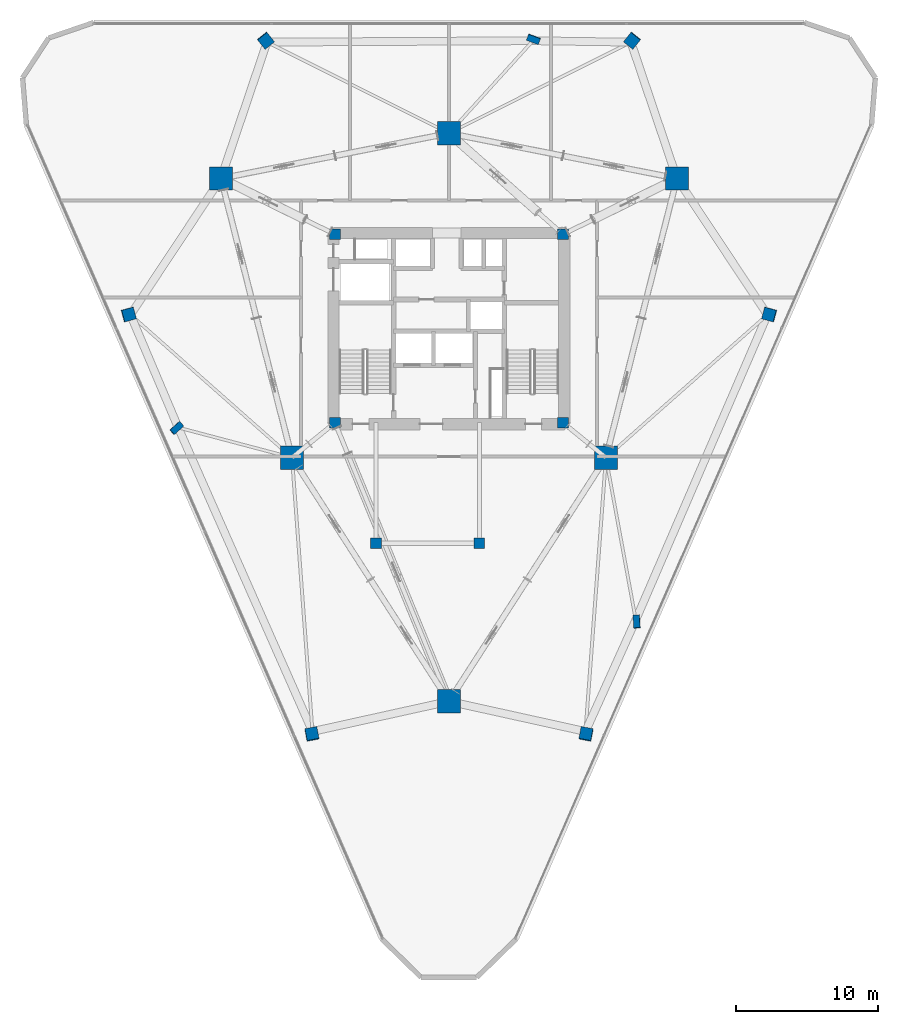
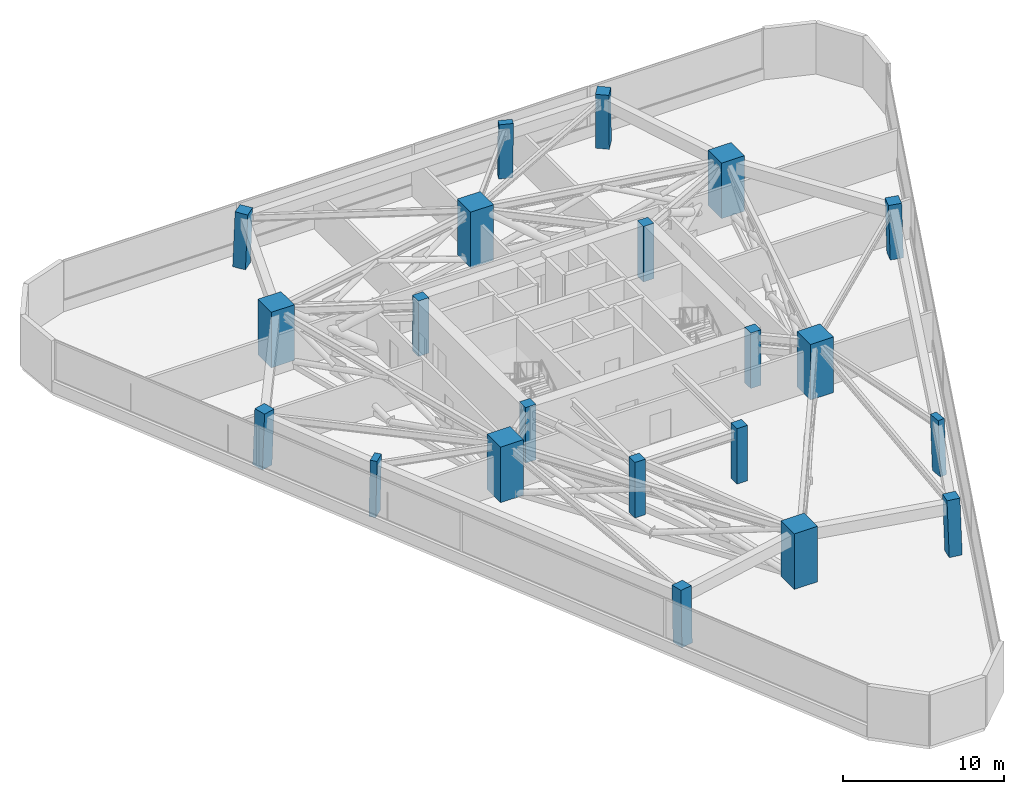
# One storey, part 1 of 15: 21 columns.
"""IFC4 building model written with IfcOpenShell, lengths in metres."""

from ifc_helpers import new_model, si_unit, direction, frame, origin, origin_2d, place, context, subcontext, project, spatial, rectangle, extrude, material, material_profile, profile_set, type_object, element, save


model = new_model("IFC4")

# Units and contexts
model_context = context("Model", 3, precision=1e-05, world=origin(), true_north=direction((0.0, 1.0)))
body_context = subcontext(model_context, "Body", "Model", "MODEL_VIEW")
ifc_project = project(units=[si_unit("LENGTHUNIT", "METRE"), si_unit("AREAUNIT", "SQUARE_METRE"), si_unit("VOLUMEUNIT", "CUBIC_METRE"), si_unit("PLANEANGLEUNIT", "RADIAN"), si_unit("MASSUNIT", "GRAM", prefix="KILO")], contexts=[model_context])

# Site, building, storey
site_placement = place(None, origin())
site = spatial("IfcSite", under=ifc_project, at=site_placement, CompositionType="ELEMENT")
building_placement = place(site_placement, origin())
building = spatial("IfcBuilding", under=site, at=building_placement, Name="Talyreon Biosciences Tower", CompositionType="ELEMENT")
storey_placement = place(building_placement, frame((0.0, 0.0, 118.800048828125)))
storey = spatial("IfcBuildingStorey", under=building, at=storey_placement, Name="L31", CompositionType="ELEMENT", Elevation=118.800048828125)

# Columns
ifc_material_1 = material(Name="Precast concrete C45/55", Category="concrete")
ifc_material_profile_1 = material_profile(ifc_material_1, rectangle(XDim=0.89990234375, YDim=0.449951171875, at=origin_2d()), Name="RC 900x450")
ifc_profile_set_1 = profile_set([ifc_material_profile_1], Name="Precast concrete C45/55")
column_type_1 = type_object("IfcColumnType", Name="FacadePilaster_900x450", PredefinedType="PILASTER", material=ifc_profile_set_1)
column_1_placement = place(storey_placement, frame((79.26513671875, 47.281982421875, 0.0029296875), z_axis=(-0.01704378489, 0.033273190979, 0.999300957749), x_axis=(0.061352925824, -0.997527960291, 0.034260573989)))
element("IfcColumn", 1, at=column_1_placement, inside=storey, type_object=column_type_1, Name="L31 Facade Pilaster PL-SE", PredefinedType="PILASTER", context=body_context, shape_type="SweptSolid", body=[
    extrude(rectangle(XDim=0.89990234375, YDim=0.449951171875, at=origin_2d()), origin(), (0.0, 0.0, 1.0), 4.197021484375),
])
column_2_placement = place(storey_placement, frame((71.97607421875, 88.447509765625, 0.0029296875), z_axis=(-0.010763761875, -0.029149430808, 0.999517109465), x_axis=(-0.9380871136, 0.346399433166, 0.0)))
element("IfcColumn", 2, at=column_2_placement, inside=storey, type_object=column_type_1, Name="L31 Facade Pilaster PL-N", PredefinedType="PILASTER", context=body_context, shape_type="SweptSolid", body=[
    extrude(rectangle(XDim=0.89990234375, YDim=0.449951171875, at=origin_2d()), origin(), (0.0, 0.0, 1.0), 4.196044921875),
])
column_3_placement = place(storey_placement, frame((46.7587890625, 60.9677734375, 0.0029296875), z_axis=(0.027812744233, 0.00913514821, 0.999571408317), x_axis=(0.745430062644, 0.666043737814, -0.026828362348)))
element("IfcColumn", 3, at=column_3_placement, inside=storey, type_object=column_type_1, Name="L31 Facade Pilaster PL-SW", PredefinedType="PILASTER", context=body_context, shape_type="SweptSolid", body=[
    extrude(rectangle(XDim=0.89990234375, YDim=0.449951171875, at=origin_2d()), origin(), (0.0, 0.0, 1.0), 4.19580078125),
])
ifc_material_2 = material(Name="Concrete C60/75", Category="concrete")
ifc_material_profile_2 = material_profile(ifc_material_2, rectangle(XDim=1.64990234375, YDim=1.64990234375, at=origin_2d()), Name="RC 1650x1650")
ifc_profile_set_2 = profile_set([ifc_material_profile_2], Name="Concrete C60/75")
column_type_2 = type_object("IfcColumnType", Name="MegaColumn_1650", PredefinedType="COLUMN", material=ifc_profile_set_2)
for number, where, z_axis, x_axis, name in (
    (4, (66.0, 41.6669921875, 0.0), (0.0, 0.0, 1.0), (1.0, 0.0, 0.0), "L31 Composite Mega-Column MC1"),
    (5, (82.102294921875, 78.5986328125, 0.0), (0.0, 0.0, 1.0), (1.0, 0.0, 0.0), "L31 Composite Mega-Column MC2"),
    (6, (49.897705078125, 78.5986328125, 0.0), (0.0, 0.0, 1.0), (1.0, 0.0, 0.0), "L31 Composite Mega-Column MC3"),
    (7, (77.086181640625, 58.88037109375, 0.0), (0.0, 0.0, 1.0), (1.0, 0.0, 0.0), "L31 Composite Mega-Column MC4"),
    (8, (66.0, 81.788818359375, 0.0), (0.0, 0.0, 1.0), (1.0, 0.0, 0.0), "L31 Composite Mega-Column MC5"),
    (9, (54.913818359375, 58.88037109375, 0.0), (0.0, 0.0, 1.0), (1.0, 0.0, 0.0), "L31 Composite Mega-Column MC6"),
):
    element("IfcColumn", number, at=place(storey_placement, frame(where, z_axis=z_axis, x_axis=x_axis)), inside=storey, type_object=column_type_2, Name=name, PredefinedType="COLUMN", context=body_context, shape_type="SweptSolid", body=[
        extrude(rectangle(XDim=1.64990234375, YDim=1.64990234375, at=origin_2d()), origin(), (0.0, 0.0, 1.0), 4.199951171875),
    ])
ifc_material_3 = material(Name="Concrete C50/60", Category="concrete")
ifc_material_profile_3 = material_profile(ifc_material_3, rectangle(XDim=0.75, YDim=0.75, at=origin_2d()), Name="RC 750x750")
ifc_profile_set_3 = profile_set([ifc_material_profile_3], Name="Concrete C50/60")
column_type_3 = type_object("IfcColumnType", Name="PerimeterColumn_750", PredefinedType="COLUMN", material=ifc_profile_set_3)
for number, where, z_axis, x_axis, name in (
    (10, (57.949951171875, 61.35009765625, 0.0), (0.0, 0.0, 1.0), (1.0, 0.0, 0.0), "L31 Core Column CC1"),
    (11, (74.050048828125, 61.35009765625, 0.0), (0.0, 0.0, 1.0), (1.0, 0.0, 0.0), "L31 Core Column CC2"),
    (12, (74.050048828125, 74.64990234375, 0.0), (0.0, 0.0, 1.0), (1.0, 0.0, 0.0), "L31 Core Column CC3"),
    (13, (57.949951171875, 74.64990234375, 0.0), (0.0, 0.0, 1.0), (1.0, 0.0, 0.0), "L31 Core Column CC4"),
    (14, (60.85009765625, 52.840087890625, 0.0), (0.0, 0.0, 1.0), (1.0, 0.0, 0.0), "L31 Core Column CSW"),
    (15, (68.14990234375, 52.840087890625, 0.0), (0.0, 0.0, 1.0), (1.0, 0.0, 0.0), "L31 Core Column CSE"),
):
    element("IfcColumn", number, at=place(storey_placement, frame(where, z_axis=z_axis, x_axis=x_axis)), inside=storey, type_object=column_type_3, Name=name, PredefinedType="COLUMN", context=body_context, shape_type="SweptSolid", body=[
        extrude(rectangle(XDim=0.75, YDim=0.75, at=origin_2d()), origin(), (0.0, 0.0, 1.0), 4.199951171875),
    ])
ifc_material_profile_4 = material_profile(ifc_material_2, rectangle(XDim=0.85009765625, YDim=0.85009765625, at=origin_2d()), Name="RC 850x850")
ifc_profile_set_4 = profile_set([ifc_material_profile_4], Name="Concrete C60/75")
column_type_4 = type_object("IfcColumnType", Name="PerimeterColumn_850", PredefinedType="COLUMN", material=ifc_profile_set_4)
column_4_placement = place(storey_placement, frame((75.6875, 39.338623046875, 0.0029296875), z_axis=(-0.010756270952, 0.047327592189, 0.998821506403), x_axis=(-0.187358939093, -0.981283981117, 0.044478942715)))
element("IfcColumn", 16, at=column_4_placement, inside=storey, type_object=column_type_4, Name="L31 Tapering Perimeter Column PC-SE1", PredefinedType="COLUMN", context=body_context, shape_type="SweptSolid", body=[
    extrude(rectangle(XDim=0.85009765625, YDim=0.85009765625, at=origin_2d()), origin(), (0.0, 0.0, 1.0), 4.198974609375),
])
column_5_placement = place(storey_placement, frame((88.635498046875, 68.9912109375, 0.0029296875), z_axis=(-0.034091169757, -0.004944964896, 0.999406493608), x_axis=(0.963854352518, -0.264552748324, 0.031569454972)))
element("IfcColumn", 17, at=column_5_placement, inside=storey, type_object=column_type_4, Name="L31 Tapering Perimeter Column PC-SE2", PredefinedType="COLUMN", context=body_context, shape_type="SweptSolid", body=[
    extrude(rectangle(XDim=0.85009765625, YDim=0.85009765625, at=origin_2d()), origin(), (0.0, 0.0, 1.0), 4.196533203125),
])
for number, where, z_axis, x_axis, name in (
    (18, (78.947998046875, 88.34765625, 0.0029296875), (-0.023326184215, -0.02914318776, 0.999303038991), (-0.780716755404, 0.624885067698, 0.0), "L31 Tapering Perimeter Column PC-N1"),
    (19, (53.052001953125, 88.34765625, 0.0029296875), (0.023326184215, -0.02914318776, 0.999303038991), (-0.780716755404, -0.624885067698, 0.0), "L31 Tapering Perimeter Column PC-N2"),
):
    element("IfcColumn", number, at=place(storey_placement, frame(where, z_axis=z_axis, x_axis=x_axis)), inside=storey, type_object=column_type_4, Name=name, PredefinedType="COLUMN", context=body_context, shape_type="SweptSolid", body=[
        extrude(rectangle(XDim=0.85009765625, YDim=0.85009765625, at=origin_2d()), origin(), (0.0, 0.0, 1.0), 4.197021484375),
    ])
column_6_placement = place(storey_placement, frame((43.364501953125, 68.9912109375, 0.0029296875), z_axis=(0.034091169757, -0.004944964896, 0.999406493608), x_axis=(0.963854352518, 0.264552748324, -0.031569454972)))
element("IfcColumn", 20, at=column_6_placement, inside=storey, type_object=column_type_4, Name="L31 Tapering Perimeter Column PC-SW1", PredefinedType="COLUMN", context=body_context, shape_type="SweptSolid", body=[
    extrude(rectangle(XDim=0.85009765625, YDim=0.85009765625, at=origin_2d()), origin(), (0.0, 0.0, 1.0), 4.196533203125),
])
column_7_placement = place(storey_placement, frame((56.3125, 39.338623046875, 0.0029296875), z_axis=(0.010756270952, 0.047327592189, 0.998821506403), x_axis=(-0.187358939093, 0.981283981117, -0.044478942715)))
element("IfcColumn", 21, at=column_7_placement, inside=storey, type_object=column_type_4, Name="L31 Tapering Perimeter Column PC-SW2", PredefinedType="COLUMN", context=body_context, shape_type="SweptSolid", body=[
    extrude(rectangle(XDim=0.85009765625, YDim=0.85009765625, at=origin_2d()), origin(), (0.0, 0.0, 1.0), 4.198974609375),
])

save(model, "model.ifc")
